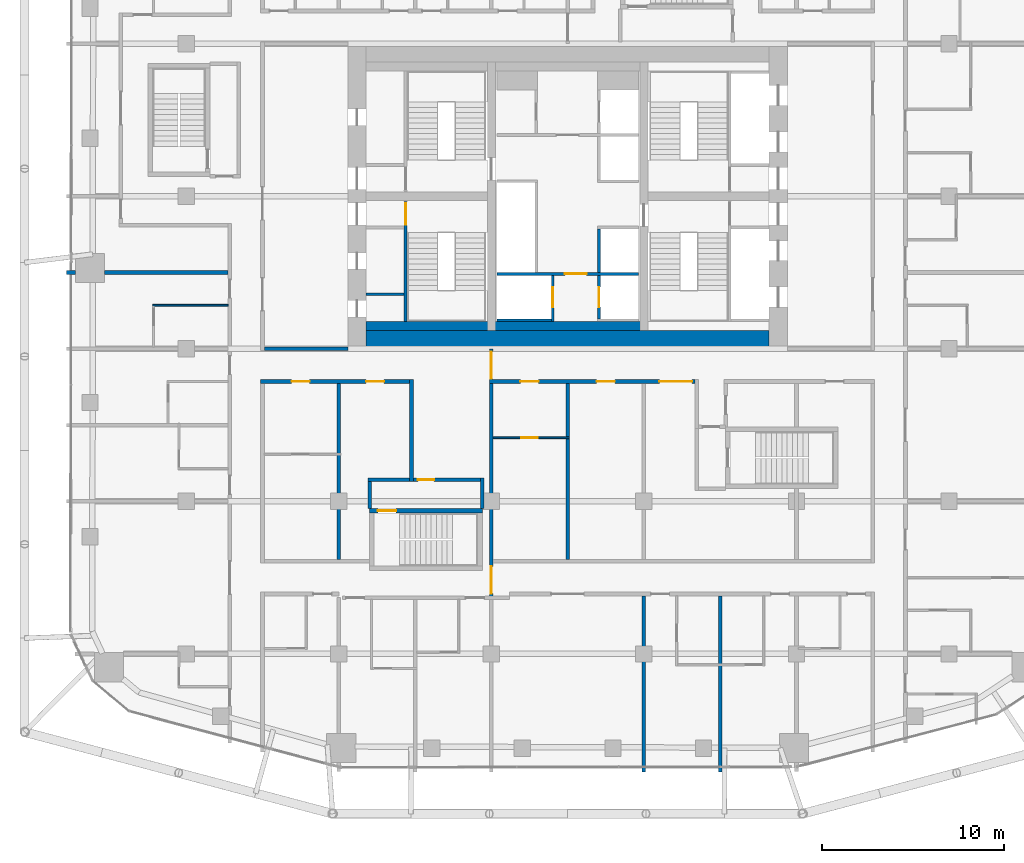
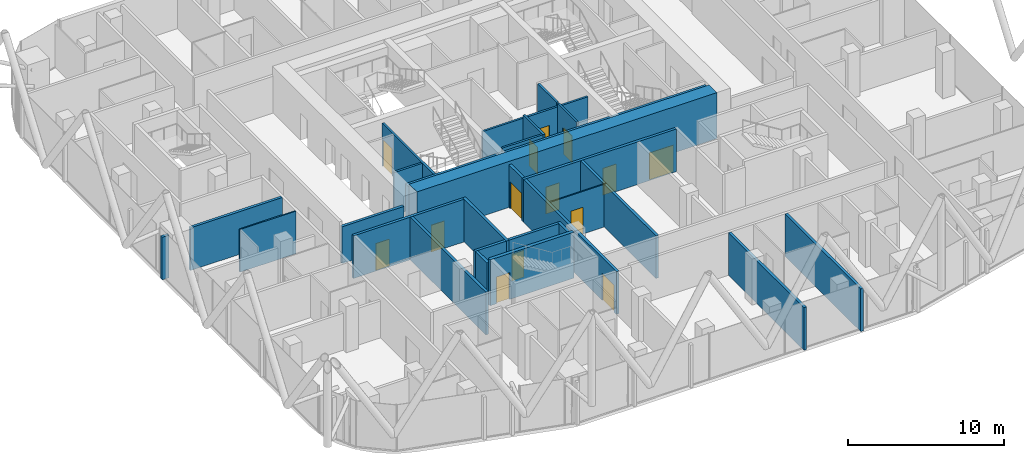
# One storey, part 28 of 36: 27 walls, 14 doors, 14 openings.
"""IFC4 building model written with IfcOpenShell, lengths in metres."""

from ifc_helpers import new_model, si_unit, direction, frame, frame_2d, origin, place, context, subcontext, project, spatial, rectangle, extrude, material, layer, layer_set, type_object, element, fill, save


model = new_model("IFC4")

# Units and contexts
model_context = context("Model", 3, precision=1e-05, world=origin(), true_north=direction((0.0, 1.0)))
body_context = subcontext(model_context, "Body", "Model", "MODEL_VIEW")
ifc_project = project(units=[si_unit("LENGTHUNIT", "METRE"), si_unit("AREAUNIT", "SQUARE_METRE"), si_unit("VOLUMEUNIT", "CUBIC_METRE"), si_unit("PLANEANGLEUNIT", "RADIAN"), si_unit("MASSUNIT", "GRAM", prefix="KILO")], contexts=[model_context])

# Site, building, storey
site_placement = place(None, origin())
site = spatial("IfcSite", under=ifc_project, at=site_placement, CompositionType="ELEMENT")
building_placement = place(site_placement, origin())
building = spatial("IfcBuilding", under=site, at=building_placement, Name="Marenta Gate Hotel Tower", CompositionType="ELEMENT")
storey_placement = place(building_placement, frame((0.0, 0.0, 115.699951171875)))
storey = spatial("IfcBuildingStorey", under=building, at=storey_placement, Name="L25", CompositionType="ELEMENT", Elevation=115.699951171875)

# Wall, openings, doors
ifc_material_1 = material(Name="Concrete blockwork", Category="masonry")
ifc_layer_1 = layer(ifc_material_1, 0.199951171875)
ifc_layer_set_1 = layer_set([ifc_layer_1], Name="Concrete blockwork")
wall_type_1 = type_object("IfcWallType", Name="Compartment wall 200 REI 180", PredefinedType="PARTITIONING", material=ifc_layer_set_1)
wall_1_placement = place(storey_placement, frame((-4.199951171875, -13.800048828125, 0.0), z_axis=(0.0, 0.0, 1.0), x_axis=(0.0, 1.0, 0.0)))
wall_1 = element("IfcWall", 1, at=wall_1_placement, inside=storey, type_object=wall_type_1, Name="L25-PTN-W072", PredefinedType="PARTITIONING", context=body_context, shape_type="SweptSolid", body=[
    extrude(rectangle(XDim=13.800048828125, YDim=0.199951171875, at=frame_2d((6.89990234375, 0.0))), origin(), (0.0, 0.0, 1.0), 3.340087890625),
])
opening_1_placement = place(wall_1_placement, frame((12.14990234375, 0.0, 0.0)))
opening_1 = element("IfcOpeningElement", 2, at=opening_1_placement, cuts=wall_1, Name="Opening G09-FD2", PredefinedType="OPENING", context=body_context, shape_type="SweptSolid", body=[
    extrude(rectangle(XDim=1.5, YDim=2.10009765625, at=frame_2d((0.75, 1.050048828125))), frame((0.0, 0.10009765625, 0.0), z_axis=(0.0, -1.0, 0.0), x_axis=(1.0, 0.0, 0.0)), (0.0, 0.0, 1.0), 0.199951171875),
])
opening_2_placement = place(wall_1_placement, frame((0.324951171875, 0.0, 0.0)))
opening_2 = element("IfcOpeningElement", 3, at=opening_2_placement, cuts=wall_1, Name="Opening G09-FD3", PredefinedType="OPENING", context=body_context, shape_type="SweptSolid", body=[
    extrude(rectangle(XDim=1.5, YDim=2.10009765625, at=frame_2d((0.75, 1.050048828125))), frame((0.0, 0.10009765625, 0.0), z_axis=(0.0, -1.0, 0.0), x_axis=(1.0, 0.0, 0.0)), (0.0, 0.0, 1.0), 0.199951171875),
])
ifc_material_2 = material(Name="Hollow steel door set", Category="steel")
door_type_1 = type_object("IfcDoorType", Name="Compartment fire door 1500x2100 EI 60", OperationType="DOUBLE_DOOR_DOUBLE_SWING", PredefinedType="DOOR", material=ifc_material_2)
door_1_placement = place(opening_1_placement, origin())
door_1 = element("IfcDoor", 4, at=door_1_placement, inside=storey, type_object=door_type_1, Name="L25-PD-FD02", OperationType="DOUBLE_DOOR_DOUBLE_SWING", OverallHeight=2.10009765625, OverallWidth=1.5, PredefinedType="DOOR", context=body_context, shape_type="SweptSolid", body=[
    extrude(rectangle(XDim=1.5, YDim=2.10009765625, at=frame_2d((0.75, 1.050048828125))), frame((0.0, 0.02490234375, 0.0), z_axis=(0.0, -1.0, 0.0), x_axis=(1.0, 0.0, 0.0)), (0.0, 0.0, 1.0), 0.050048828125),
])
fill(opening_1, door_1)
door_2_placement = place(opening_2_placement, origin())
door_2 = element("IfcDoor", 5, at=door_2_placement, inside=storey, type_object=door_type_1, Name="L25-PD-FD03", OperationType="DOUBLE_DOOR_DOUBLE_SWING", OverallHeight=2.10009765625, OverallWidth=1.5, PredefinedType="DOOR", context=body_context, shape_type="SweptSolid", body=[
    extrude(rectangle(XDim=1.5, YDim=2.10009765625, at=frame_2d((0.75, 1.050048828125))), frame((0.0, 0.02490234375, 0.0), z_axis=(0.0, -1.0, 0.0), x_axis=(1.0, 0.0, 0.0)), (0.0, 0.0, 1.0), 0.050048828125),
])
fill(opening_2, door_2)

# Walls
ifc_material_3 = material(Name="Concrete blockwork", Category="masonry")
ifc_layer_2 = layer(ifc_material_3, 0.199951171875)
ifc_layer_set_2 = layer_set([ifc_layer_2], Name="Concrete blockwork")
wall_type_2 = type_object("IfcWallType", Name="Core boundary wall 200 REI 180", PredefinedType="PARTITIONING", material=ifc_layer_set_2)
wall_2_placement = place(storey_placement, frame((-16.699951171875, 0.0, 0.0), z_axis=(0.0, 0.0, 1.0), x_axis=(1.0, 0.0, 0.0)))
element("IfcWall", 6, at=wall_2_placement, inside=storey, type_object=wall_type_2, Name="L25-CP-EW-WS", PredefinedType="PARTITIONING", context=body_context, shape_type="SweptSolid", body=[
    extrude(rectangle(XDim=4.599853515625, YDim=0.199951171875, at=frame_2d((2.2998046875, 0.0))), origin(), (0.0, 0.0, 1.0), 2.89013671875),
])
ifc_material_4 = material(Name="Concrete C40", Category="concrete")
ifc_layer_3 = layer(ifc_material_4, 0.5)
ifc_layer_set_3 = layer_set([ifc_layer_3], Name="Concrete C40")
wall_type_3 = type_object("IfcWallType", Name="Core lining wall 500 REI 180", PredefinedType="PARTITIONING", material=ifc_layer_set_3)
wall_3_placement = place(storey_placement, frame((-11.10009765625, 1.25, 0.0), z_axis=(0.0, 0.0, 1.0), x_axis=(1.0, 0.0, 0.0)))
element("IfcWall", 7, at=wall_3_placement, inside=storey, type_object=wall_type_3, Name="L25-CP-LN-S", PredefinedType="PARTITIONING", context=body_context, shape_type="SweptSolid", body=[
    extrude(rectangle(XDim=22.2001953125, YDim=0.5, at=frame_2d((11.10009765625, 0.0))), origin(), (0.0, 0.0, 1.0), 3.340087890625),
])

# Wall, opening, door
ifc_material_5 = material(Name="Concrete blockwork", Category="masonry")
ifc_layer_4 = layer(ifc_material_5, 0.14990234375)
ifc_layer_set_4 = layer_set([ifc_layer_4], Name="Concrete blockwork")
wall_type_4 = type_object("IfcWallType", Name="Core lobby partition 150 REI 180", PredefinedType="PARTITIONING", material=ifc_layer_set_4)
wall_4_placement = place(storey_placement, frame((-3.89990234375, 4.125, 0.0), z_axis=(0.0, 0.0, 1.0), x_axis=(1.0, 0.0, 0.0)))
wall_4 = element("IfcWall", 8, at=wall_4_placement, inside=storey, type_object=wall_type_4, Name="L25-CP-CW-S", PredefinedType="PARTITIONING", context=body_context, shape_type="SweptSolid", body=[
    extrude(rectangle(XDim=7.7998046875, YDim=0.14990234375, at=frame_2d((3.89990234375, 0.0))), origin(), (0.0, 0.0, 1.0), 3.340087890625),
])
opening_3_placement = place(wall_4_placement, frame((3.75, 0.0, 0.0)))
opening_3 = element("IfcOpeningElement", 9, at=opening_3_placement, cuts=wall_4, Name="Opening FD-FFS", PredefinedType="OPENING", context=body_context, shape_type="SweptSolid", body=[
    extrude(rectangle(XDim=1.199951171875, YDim=2.10009765625, at=frame_2d((0.60009765625, 1.050048828125))), frame((0.0, 0.074951171875, 0.0), z_axis=(0.0, -1.0, 0.0), x_axis=(1.0, 0.0, 0.0)), (0.0, 0.0, 1.0), 0.14990234375),
])
ifc_material_6 = material(Name="Steel", Category="steel")
door_type_2 = type_object("IfcDoorType", Name="Core lobby door 1200x2100 FD60", OperationType="SINGLE_SWING_LEFT", PredefinedType="DOOR", material=ifc_material_6)
door_3_placement = place(opening_3_placement, origin())
door_3 = element("IfcDoor", 10, at=door_3_placement, inside=storey, type_object=door_type_2, Name="FD-FFS", OperationType="SINGLE_SWING_LEFT", OverallHeight=2.10009765625, OverallWidth=1.199951171875, PredefinedType="DOOR", context=body_context, shape_type="SweptSolid", body=[
    extrude(rectangle(XDim=1.199951171875, YDim=2.10009765625, at=frame_2d((0.60009765625, 1.050048828125))), frame((0.0, 0.02490234375, 0.0), z_axis=(0.0, -1.0, 0.0), x_axis=(1.0, 0.0, 0.0)), (0.0, 0.0, 1.0), 0.050048828125),
])
fill(opening_3, door_3)

# Wall
ifc_material_7 = material(Name="Concrete blockwork", Category="masonry")
ifc_layer_5 = layer(ifc_material_7, 0.14990234375)
ifc_layer_set_5 = layer_set([ifc_layer_5], Name="Concrete blockwork")
wall_type_5 = type_object("IfcWallType", Name="Core room partition 150 REI 180", PredefinedType="PARTITIONING", material=ifc_layer_set_5)
wall_5_placement = place(storey_placement, frame((-11.10009765625, 3.0, 0.0), z_axis=(0.0, 0.0, 1.0), x_axis=(1.0, 0.0, 0.0)))
element("IfcWall", 11, at=wall_5_placement, inside=storey, type_object=wall_type_5, Name="L25-CP-RW-WS-1", PredefinedType="PARTITIONING", context=body_context, shape_type="SweptSolid", body=[
    extrude(rectangle(XDim=2.10009765625, YDim=0.14990234375, at=frame_2d((1.050048828125, 0.0))), origin(), (0.0, 0.0, 1.0), 3.340087890625),
])

# Wall, opening, door
ifc_material_8 = material(Name="Concrete C40", Category="concrete")
ifc_layer_6 = layer(ifc_material_8, 0.14990234375)
ifc_layer_set_6 = layer_set([ifc_layer_6], Name="Concrete C40")
wall_type_6 = type_object("IfcWallType", Name="Core shaft wall 150 REI 180", PredefinedType="SHEAR", material=ifc_layer_set_6)
wall_6_placement = place(storey_placement, frame((-0.824951171875, 1.5, 0.0), z_axis=(0.0, 0.0, 1.0), x_axis=(0.0, 1.0, 0.0)))
wall_6 = element("IfcWall", 12, at=wall_6_placement, inside=storey, type_object=wall_type_6, Name="L25-SHF-CW-W-ff", PredefinedType="SHEAR", context=body_context, shape_type="SweptSolid", body=[
    extrude(rectangle(XDim=2.550048828125, YDim=0.14990234375, at=frame_2d((1.27490234375, 0.0))), origin(), (0.0, 0.0, 1.0), 3.60009765625),
])
opening_4_placement = place(wall_6_placement, frame((0.800048828125, 0.0, 0.0)))
opening_4 = element("IfcOpeningElement", 13, at=opening_4_placement, cuts=wall_6, Name="Opening LD-FF1", PredefinedType="OPENING", context=body_context, shape_type="SweptSolid", body=[
    extrude(rectangle(XDim=1.10009765625, YDim=2.10009765625, at=frame_2d((0.550048828125, 1.050048828125))), frame((0.0, 0.074951171875, 0.0), z_axis=(0.0, -1.0, 0.0), x_axis=(1.0, 0.0, 0.0)), (0.0, 0.0, 1.0), 0.14990234375),
])
ifc_material_9 = material(Name="Steel", Category="steel")
door_type_3 = type_object("IfcDoorType", Name="Core lift landing door 1100x2100 E 60", OperationType="SLIDING_TO_LEFT", PredefinedType="DOOR", material=ifc_material_9)
door_4_placement = place(opening_4_placement, origin())
door_4 = element("IfcDoor", 14, at=door_4_placement, inside=storey, type_object=door_type_3, Name="LD-FF1", OperationType="SLIDING_TO_LEFT", OverallHeight=2.10009765625, OverallWidth=1.10009765625, PredefinedType="DOOR", context=body_context, shape_type="SweptSolid", body=[
    extrude(rectangle(XDim=1.10009765625, YDim=2.10009765625, at=frame_2d((0.550048828125, 1.050048828125))), frame((0.0, 0.02490234375, 0.0), z_axis=(0.0, -1.0, 0.0), x_axis=(1.0, 0.0, 0.0)), (0.0, 0.0, 1.0), 0.050048828125),
])
fill(opening_4, door_4)

# Wall
wall_7_placement = place(storey_placement, frame((-3.89990234375, 1.574951171875, 0.0), z_axis=(0.0, 0.0, 1.0), x_axis=(1.0, 0.0, 0.0)))
element("IfcWall", 15, at=wall_7_placement, inside=storey, type_object=wall_type_6, Name="L25-SHF-CW-W-ffs", PredefinedType="SHEAR", context=body_context, shape_type="SweptSolid", body=[
    extrude(rectangle(XDim=3.0, YDim=0.14990234375, at=frame_2d((1.5, 0.0))), origin(), (0.0, 0.0, 1.0), 3.60009765625),
])

# Wall, opening, door
wall_8_placement = place(storey_placement, frame((1.72509765625, 1.64990234375, 0.0), z_axis=(0.0, 0.0, 1.0), x_axis=(0.0, 1.0, 0.0)))
wall_8 = element("IfcWall", 16, at=wall_8_placement, inside=storey, type_object=wall_type_6, Name="L25-SHF-CE-S-ls", PredefinedType="SHEAR", context=body_context, shape_type="SweptSolid", body=[
    extrude(rectangle(XDim=2.400146484375, YDim=0.14990234375, at=frame_2d((1.2001953125, 0.0))), origin(), (0.0, 0.0, 1.0), 3.60009765625),
])
opening_5_placement = place(wall_8_placement, frame((0.64990234375, 0.0, 0.0)))
opening_5 = element("IfcOpeningElement", 17, at=opening_5_placement, cuts=wall_8, Name="Opening LD-SV1", PredefinedType="OPENING", context=body_context, shape_type="SweptSolid", body=[
    extrude(rectangle(XDim=1.10009765625, YDim=2.10009765625, at=frame_2d((0.550048828125, 1.050048828125))), frame((0.0, 0.074951171875, 0.0), z_axis=(0.0, -1.0, 0.0), x_axis=(1.0, 0.0, 0.0)), (0.0, 0.0, 1.0), 0.14990234375),
])
door_5_placement = place(opening_5_placement, origin())
door_5 = element("IfcDoor", 18, at=door_5_placement, inside=storey, type_object=door_type_3, Name="LD-SV1", OperationType="SLIDING_TO_LEFT", OverallHeight=2.10009765625, OverallWidth=1.10009765625, PredefinedType="DOOR", context=body_context, shape_type="SweptSolid", body=[
    extrude(rectangle(XDim=1.10009765625, YDim=2.10009765625, at=frame_2d((0.550048828125, 1.050048828125))), frame((0.0, 0.02490234375, 0.0), z_axis=(0.0, -1.0, 0.0), x_axis=(1.0, 0.0, 0.0)), (0.0, 0.0, 1.0), 0.050048828125),
])
fill(opening_5, door_5)

# Wall
wall_9_placement = place(storey_placement, frame((1.72509765625, 4.199951171875, 0.0), z_axis=(0.0, 0.0, 1.0), x_axis=(0.0, 1.0, 0.0)))
element("IfcWall", 19, at=wall_9_placement, inside=storey, type_object=wall_type_6, Name="L25-SHF-CE-front-1", PredefinedType="SHEAR", context=body_context, shape_type="SweptSolid", body=[
    extrude(rectangle(XDim=2.400146484375, YDim=0.14990234375, at=frame_2d((1.2001953125, 0.0))), origin(), (0.0, 0.0, 1.0), 3.60009765625),
])

# Wall, opening, door
ifc_material_10 = material(Name="Concrete C40", Category="concrete")
ifc_layer_7 = layer(ifc_material_10, 0.14990234375)
ifc_layer_set_7 = layer_set([ifc_layer_7], Name="Concrete C40")
wall_type_7 = type_object("IfcWallType", Name="Core stair enclosure wall 150 REI 180", PredefinedType="SHEAR", material=ifc_layer_set_7)
wall_10_placement = place(storey_placement, frame((-8.925048828125, 1.5, 0.0), z_axis=(0.0, 0.0, 1.0), x_axis=(0.0, 1.0, 0.0)))
wall_10 = element("IfcWall", 20, at=wall_10_placement, inside=storey, type_object=wall_type_7, Name="L25-SHF-SW-WS-3", PredefinedType="SHEAR", context=body_context, shape_type="SweptSolid", body=[
    extrude(rectangle(XDim=6.60009765625, YDim=0.14990234375, at=frame_2d((3.300048828125, 0.0))), origin(), (0.0, 0.0, 1.0), 3.340087890625),
])
opening_6_placement = place(wall_10_placement, frame((5.324951171875, 0.0, 0.0)))
opening_6 = element("IfcOpeningElement", 21, at=opening_6_placement, cuts=wall_10, Name="Opening SD-WS", PredefinedType="OPENING", context=body_context, shape_type="SweptSolid", body=[
    extrude(rectangle(XDim=1.199951171875, YDim=2.10009765625, at=frame_2d((0.60009765625, 1.050048828125))), frame((0.0, 0.074951171875, 0.0), z_axis=(0.0, -1.0, 0.0), x_axis=(1.0, 0.0, 0.0)), (0.0, 0.0, 1.0), 0.14990234375),
])
ifc_material_11 = material(Name="Steel", Category="steel")
door_type_4 = type_object("IfcDoorType", Name="Core stair door 1200x2100 FD60", OperationType="SINGLE_SWING_LEFT", PredefinedType="DOOR", material=ifc_material_11)
door_6_placement = place(opening_6_placement, origin())
door_6 = element("IfcDoor", 22, at=door_6_placement, inside=storey, type_object=door_type_4, Name="SD-WS", OperationType="SINGLE_SWING_LEFT", OverallHeight=2.10009765625, OverallWidth=1.199951171875, PredefinedType="DOOR", context=body_context, shape_type="SweptSolid", body=[
    extrude(rectangle(XDim=1.199951171875, YDim=2.10009765625, at=frame_2d((0.60009765625, 1.050048828125))), frame((0.0, 0.02490234375, 0.0), z_axis=(0.0, -1.0, 0.0), x_axis=(1.0, 0.0, 0.0)), (0.0, 0.0, 1.0), 0.050048828125),
])
fill(opening_6, door_6)

# Wall
ifc_material_12 = material(Name="Concrete C70", Category="concrete")
ifc_layer_8 = layer(ifc_material_12, 1.0)
ifc_layer_set_8 = layer_set([ifc_layer_8], Name="Concrete C70")
wall_type_8 = type_object("IfcWallType", Name="Core wall 1000 C70", PredefinedType="SHEAR", material=ifc_layer_set_8)
wall_11_placement = place(storey_placement, frame((-11.10009765625, 0.5, 0.0), z_axis=(0.0, 0.0, 1.0), x_axis=(1.0, 0.0, 0.0)))
element("IfcWall", 23, at=wall_11_placement, inside=storey, type_object=wall_type_8, Name="L25-CORE-S", PredefinedType="SHEAR", context=body_context, shape_type="SweptSolid", body=[
    extrude(rectangle(XDim=22.2001953125, YDim=1.0, at=frame_2d((11.10009765625, 0.0))), origin(), (0.0, 0.0, 1.0), 3.60009765625),
])

# Wall, opening, door
ifc_material_13 = material(Name="Concrete C40", Category="concrete")
ifc_layer_9 = layer(ifc_material_13, 0.25)
ifc_layer_set_9 = layer_set([ifc_layer_9], Name="Concrete C40")
wall_type_9 = type_object("IfcWallType", Name="Remote stair enclosure wall 250 REI 180", PredefinedType="SHEAR", material=ifc_layer_set_9)
wall_12_placement = place(storey_placement, frame((-10.89990234375, -8.925048828125, 0.10009765625), z_axis=(0.0, 0.0, 1.0), x_axis=(1.0, 0.0, 0.0)))
wall_12 = element("IfcWall", 24, at=wall_12_placement, inside=storey, type_object=wall_type_9, Name="L25-RS-Z2-1-W2", PredefinedType="SHEAR", context=body_context, shape_type="SweptSolid", body=[
    extrude(rectangle(XDim=6.199951171875, YDim=0.25, at=frame_2d((3.10009765625, 0.0))), origin(), (0.0, 0.0, 1.0), 3.599853515625),
])
opening_7_placement = place(wall_12_placement, frame((0.449951171875, 0.0, 0.0)))
opening_7 = element("IfcOpeningElement", 25, at=opening_7_placement, cuts=wall_12, Name="Opening VD", PredefinedType="OPENING", context=body_context, shape_type="SweptSolid", body=[
    extrude(rectangle(XDim=1.0, YDim=2.10009765625, at=frame_2d((0.5, 1.050048828125))), frame((0.0, 0.125, 0.0), z_axis=(0.0, -1.0, 0.0), x_axis=(1.0, 0.0, 0.0)), (0.0, 0.0, 1.0), 0.25),
])
ifc_material_14 = material(Name="Steel", Category="steel")
door_type_5 = type_object("IfcDoorType", Name="Stair vestibule door 1000x2100 FD60", OperationType="SINGLE_SWING_LEFT", PredefinedType="DOOR", material=ifc_material_14)
door_7_placement = place(opening_7_placement, origin())
door_7 = element("IfcDoor", 26, at=door_7_placement, inside=storey, type_object=door_type_5, Name="VD", OperationType="SINGLE_SWING_LEFT", OverallHeight=2.10009765625, OverallWidth=1.0, PredefinedType="DOOR", context=body_context, shape_type="SweptSolid", body=[
    extrude(rectangle(XDim=1.0, YDim=2.10009765625, at=frame_2d((0.5, 1.050048828125))), frame((0.0, 0.02490234375, 0.0), z_axis=(0.0, -1.0, 0.0), x_axis=(1.0, 0.0, 0.0)), (0.0, 0.0, 1.0), 0.050048828125),
])
fill(opening_7, door_7)

# Wall, openings, doors
ifc_material_15 = material(Name="Concrete blockwork", Category="masonry")
ifc_layer_10 = layer(ifc_material_15, 0.199951171875)
ifc_layer_set_10 = layer_set([ifc_layer_10], Name="Concrete blockwork")
wall_type_10 = type_object("IfcWallType", Name="Room corridor wall 200 EI 120", PredefinedType="PARTITIONING", material=ifc_layer_set_10)
wall_13_placement = place(storey_placement, frame((-4.300048828125, -1.800048828125, 0.0), z_axis=(0.0, 0.0, 1.0), x_axis=(1.0, 0.0, 0.0)))
wall_13 = element("IfcWall", 27, at=wall_13_placement, inside=storey, type_object=wall_type_10, Name="L25-PTN-W060", PredefinedType="PARTITIONING", context=body_context, shape_type="SweptSolid", body=[
    extrude(rectangle(XDim=11.300048828125, YDim=0.199951171875, at=frame_2d((5.64990234375, 0.0))), origin(), (0.0, 0.0, 1.0), 3.340087890625),
])
opening_8_placement = place(wall_13_placement, frame((1.699951171875, 0.0, 0.0)))
opening_8 = element("IfcOpeningElement", 28, at=opening_8_placement, cuts=wall_13, Name="Opening G09-04", PredefinedType="OPENING", context=body_context, shape_type="SweptSolid", body=[
    extrude(rectangle(XDim=1.0, YDim=2.10009765625, at=frame_2d((0.5, 1.050048828125))), frame((0.0, 0.10009765625, 0.0), z_axis=(0.0, -1.0, 0.0), x_axis=(1.0, 0.0, 0.0)), (0.0, 0.0, 1.0), 0.199951171875),
])
opening_9_placement = place(wall_13_placement, frame((5.89990234375, 0.0, 0.0)))
opening_9 = element("IfcOpeningElement", 29, at=opening_9_placement, cuts=wall_13, Name="Opening G09-06", PredefinedType="OPENING", context=body_context, shape_type="SweptSolid", body=[
    extrude(rectangle(XDim=1.0, YDim=2.10009765625, at=frame_2d((0.5, 1.050048828125))), frame((0.0, 0.10009765625, 0.0), z_axis=(0.0, -1.0, 0.0), x_axis=(1.0, 0.0, 0.0)), (0.0, 0.0, 1.0), 0.199951171875),
])
opening_10_placement = place(wall_13_placement, frame((9.35009765625, 0.0, 0.0)))
opening_10 = element("IfcOpeningElement", 30, at=opening_10_placement, cuts=wall_13, Name="Opening G09-07", PredefinedType="OPENING", context=body_context, shape_type="SweptSolid", body=[
    extrude(rectangle(XDim=1.800048828125, YDim=2.10009765625, at=frame_2d((0.89990234375, 1.050048828125))), frame((0.0, 0.10009765625, 0.0), z_axis=(0.0, -1.0, 0.0), x_axis=(1.0, 0.0, 0.0)), (0.0, 0.0, 1.0), 0.199951171875),
])
ifc_material_16 = material(Name="Timber door leaf", Category="wood")
door_type_6 = type_object("IfcDoorType", Name="Room amenity door 1000x2100 EI 60", OperationType="NOTDEFINED", PredefinedType="DOOR", material=ifc_material_16)
door_8_placement = place(opening_9_placement, origin())
door_8 = element("IfcDoor", 31, at=door_8_placement, inside=storey, type_object=door_type_6, Name="L25-PD-D006", OperationType="SINGLE_SWING_RIGHT", OverallHeight=2.10009765625, OverallWidth=1.0, PredefinedType="DOOR", context=body_context, shape_type="SweptSolid", body=[
    extrude(rectangle(XDim=1.0, YDim=2.10009765625, at=frame_2d((0.5, 1.050048828125))), frame((0.0, 0.02490234375, 0.0), z_axis=(0.0, -1.0, 0.0), x_axis=(1.0, 0.0, 0.0)), (0.0, 0.0, 1.0), 0.050048828125),
])
fill(opening_9, door_8)
ifc_material_17 = material(Name="Timber door leaf", Category="wood")
door_type_7 = type_object("IfcDoorType", Name="Room amenity door 1800x2100 EI 60", OperationType="DOUBLE_DOOR_SINGLE_SWING", PredefinedType="DOOR", material=ifc_material_17)
door_9_placement = place(opening_10_placement, origin())
door_9 = element("IfcDoor", 32, at=door_9_placement, inside=storey, type_object=door_type_7, Name="L25-PD-D007", OperationType="DOUBLE_DOOR_SINGLE_SWING", OverallHeight=2.10009765625, OverallWidth=1.800048828125, PredefinedType="DOOR", context=body_context, shape_type="SweptSolid", body=[
    extrude(rectangle(XDim=1.800048828125, YDim=2.10009765625, at=frame_2d((0.89990234375, 1.050048828125))), frame((0.0, 0.02490234375, 0.0), z_axis=(0.0, -1.0, 0.0), x_axis=(1.0, 0.0, 0.0)), (0.0, 0.0, 1.0), 0.050048828125),
])
fill(opening_10, door_9)
ifc_material_18 = material(Name="Hollow steel door set", Category="steel")
door_type_8 = type_object("IfcDoorType", Name="Room service door 1000x2100 EI 60", OperationType="NOTDEFINED", PredefinedType="DOOR", material=ifc_material_18)
door_10_placement = place(opening_8_placement, origin())
door_10 = element("IfcDoor", 33, at=door_10_placement, inside=storey, type_object=door_type_8, Name="L25-PD-D004", OperationType="SINGLE_SWING_RIGHT", OverallHeight=2.10009765625, OverallWidth=1.0, PredefinedType="DOOR", context=body_context, shape_type="SweptSolid", body=[
    extrude(rectangle(XDim=1.0, YDim=2.10009765625, at=frame_2d((0.5, 1.050048828125))), frame((0.0, 0.02490234375, 0.0), z_axis=(0.0, -1.0, 0.0), x_axis=(1.0, 0.0, 0.0)), (0.0, 0.0, 1.0), 0.050048828125),
])
fill(opening_8, door_10)

ifc_material_19 = material(Name="Gypsum board on steel stud", Category="steel")
ifc_layer_11 = layer(ifc_material_19, 0.199951171875)
ifc_layer_set_11 = layer_set([ifc_layer_11], Name="Gypsum board on steel stud")
wall_type_11 = type_object("IfcWallType", Name="Room corridor wall 200 EI 60", PredefinedType="PARTITIONING", material=ifc_layer_set_11)
wall_14_placement = place(storey_placement, frame((-16.89990234375, -1.800048828125, 0.0), z_axis=(0.0, 0.0, 1.0), x_axis=(1.0, 0.0, 0.0)))
wall_14 = element("IfcWall", 34, at=wall_14_placement, inside=storey, type_object=wall_type_11, Name="L25-PTN-W059", PredefinedType="PARTITIONING", context=body_context, shape_type="SweptSolid", body=[
    extrude(rectangle(XDim=8.199951171875, YDim=0.199951171875, at=frame_2d((4.10009765625, 0.0))), origin(), (0.0, 0.0, 1.0), 3.340087890625),
])
opening_11_placement = place(wall_14_placement, frame((1.699951171875, 0.0, 0.0)))
opening_11 = element("IfcOpeningElement", 35, at=opening_11_placement, cuts=wall_14, Name="Opening G09-01", PredefinedType="OPENING", context=body_context, shape_type="SweptSolid", body=[
    extrude(rectangle(XDim=1.0, YDim=2.10009765625, at=frame_2d((0.5, 1.050048828125))), frame((0.0, 0.10009765625, 0.0), z_axis=(0.0, -1.0, 0.0), x_axis=(1.0, 0.0, 0.0)), (0.0, 0.0, 1.0), 0.199951171875),
])
opening_12_placement = place(wall_14_placement, frame((5.800048828125, 0.0, 0.0)))
opening_12 = element("IfcOpeningElement", 36, at=opening_12_placement, cuts=wall_14, Name="Opening G09-03", PredefinedType="OPENING", context=body_context, shape_type="SweptSolid", body=[
    extrude(rectangle(XDim=1.0, YDim=2.10009765625, at=frame_2d((0.5, 1.050048828125))), frame((0.0, 0.10009765625, 0.0), z_axis=(0.0, -1.0, 0.0), x_axis=(1.0, 0.0, 0.0)), (0.0, 0.0, 1.0), 0.199951171875),
])
ifc_material_20 = material(Name="Timber door leaf", Category="wood")
door_type_9 = type_object("IfcDoorType", Name="Room amenity door 1000x2100 EI 30", OperationType="NOTDEFINED", PredefinedType="DOOR", material=ifc_material_20)
door_11_placement = place(opening_12_placement, origin())
door_11 = element("IfcDoor", 37, at=door_11_placement, inside=storey, type_object=door_type_9, Name="L25-PD-D003", OperationType="SINGLE_SWING_LEFT", OverallHeight=2.10009765625, OverallWidth=1.0, PredefinedType="DOOR", context=body_context, shape_type="SweptSolid", body=[
    extrude(rectangle(XDim=1.0, YDim=2.10009765625, at=frame_2d((0.5, 1.050048828125))), frame((0.0, 0.02490234375, 0.0), z_axis=(0.0, -1.0, 0.0), x_axis=(1.0, 0.0, 0.0)), (0.0, 0.0, 1.0), 0.050048828125),
])
fill(opening_12, door_11)
ifc_material_21 = material(Name="Hollow steel door set", Category="steel")
door_type_10 = type_object("IfcDoorType", Name="Room service door 1000x2100 EI 30", OperationType="NOTDEFINED", PredefinedType="DOOR", material=ifc_material_21)
door_12_placement = place(opening_11_placement, origin())
door_12 = element("IfcDoor", 38, at=door_12_placement, inside=storey, type_object=door_type_10, Name="L25-PD-D001", OperationType="SINGLE_SWING_LEFT", OverallHeight=2.10009765625, OverallWidth=1.0, PredefinedType="DOOR", context=body_context, shape_type="SweptSolid", body=[
    extrude(rectangle(XDim=1.0, YDim=2.10009765625, at=frame_2d((0.5, 1.050048828125))), frame((0.0, 0.02490234375, 0.0), z_axis=(0.0, -1.0, 0.0), x_axis=(1.0, 0.0, 0.0)), (0.0, 0.0, 1.0), 0.050048828125),
])
fill(opening_11, door_12)

# Wall
wall_15_placement = place(storey_placement, frame((-8.60009765625, -7.300048828125, 0.0), z_axis=(0.0, 0.0, 1.0), x_axis=(0.0, 1.0, 0.0)))
element("IfcWall", 39, at=wall_15_placement, inside=storey, type_object=wall_type_11, Name="L25-PTN-W084", PredefinedType="PARTITIONING", context=body_context, shape_type="SweptSolid", body=[
    extrude(rectangle(XDim=5.60009765625, YDim=0.199951171875, at=frame_2d((2.800048828125, 0.0))), origin(), (0.0, 0.0, 1.0), 3.340087890625),
])

# Wall, opening, door
ifc_material_22 = material(Name="Concrete blockwork", Category="masonry")
ifc_layer_12 = layer(ifc_material_22, 0.199951171875)
ifc_layer_set_12 = layer_set([ifc_layer_12], Name="Concrete blockwork")
wall_type_12 = type_object("IfcWallType", Name="Room corridor wall 200 REI 180", PredefinedType="PARTITIONING", material=ifc_layer_set_12)
wall_16_placement = place(storey_placement, frame((-8.5, -7.199951171875, 0.0), z_axis=(0.0, 0.0, 1.0), x_axis=(1.0, 0.0, 0.0)))
wall_16 = element("IfcWall", 40, at=wall_16_placement, inside=storey, type_object=wall_type_12, Name="L25-PTN-W045", PredefinedType="PARTITIONING", context=body_context, shape_type="SweptSolid", body=[
    extrude(rectangle(XDim=3.699951171875, YDim=0.199951171875, at=frame_2d((1.85009765625, 0.0))), origin(), (0.0, 0.0, 1.0), 3.340087890625),
])
opening_13_placement = place(wall_16_placement, frame((0.25, 0.0, 0.0)))
opening_13 = element("IfcOpeningElement", 41, at=opening_13_placement, cuts=wall_16, Name="Opening G09-69", PredefinedType="OPENING", context=body_context, shape_type="SweptSolid", body=[
    extrude(rectangle(XDim=0.89990234375, YDim=2.10009765625, at=frame_2d((0.449951171875, 1.050048828125))), frame((0.0, 0.10009765625, 0.0), z_axis=(0.0, -1.0, 0.0), x_axis=(1.0, 0.0, 0.0)), (0.0, 0.0, 1.0), 0.199951171875),
])
ifc_material_23 = material(Name="Hollow steel door set", Category="steel")
door_type_11 = type_object("IfcDoorType", Name="Stair vestibule door 900x2100 EI 60", OperationType="NOTDEFINED", PredefinedType="DOOR", material=ifc_material_23)
door_13_placement = place(opening_13_placement, origin())
door_13 = element("IfcDoor", 42, at=door_13_placement, inside=storey, type_object=door_type_11, Name="L25-PD-D069", OperationType="SINGLE_SWING_RIGHT", OverallHeight=2.10009765625, OverallWidth=0.89990234375, PredefinedType="DOOR", context=body_context, shape_type="SweptSolid", body=[
    extrude(rectangle(XDim=0.89990234375, YDim=2.10009765625, at=frame_2d((0.449951171875, 1.050048828125))), frame((0.0, 0.02490234375, 0.0), z_axis=(0.0, -1.0, 0.0), x_axis=(1.0, 0.0, 0.0)), (0.0, 0.0, 1.0), 0.050048828125),
])
fill(opening_13, door_13)

# Wall
wall_17_placement = place(storey_placement, frame((-4.699951171875, -8.800048828125, 0.0), z_axis=(0.0, 0.0, 1.0), x_axis=(0.0, 1.0, 0.0)))
element("IfcWall", 43, at=wall_17_placement, inside=storey, type_object=wall_type_12, Name="L25-PTN-W075", PredefinedType="PARTITIONING", context=body_context, shape_type="SweptSolid", body=[
    extrude(rectangle(XDim=1.699951171875, YDim=0.199951171875, at=frame_2d((0.85009765625, 0.0))), origin(), (0.0, 0.0, 1.0), 3.340087890625),
])

# Wall, opening, door
ifc_material_24 = material(Name="Gypsum board on steel stud", Category="steel")
ifc_layer_13 = layer(ifc_material_24, 0.10009765625)
ifc_layer_set_13 = layer_set([ifc_layer_13], Name="Gypsum board on steel stud")
wall_type_13 = type_object("IfcWallType", Name="Room partition 100", PredefinedType="PARTITIONING", material=ifc_layer_set_13)
wall_18_placement = place(storey_placement, frame((-4.10009765625, -4.89990234375, 0.0), z_axis=(0.0, 0.0, 1.0), x_axis=(1.0, 0.0, 0.0)))
wall_18 = element("IfcWall", 44, at=wall_18_placement, inside=storey, type_object=wall_type_13, Name="L25-PTN-W051", PredefinedType="PARTITIONING", context=body_context, shape_type="SweptSolid", body=[
    extrude(rectangle(XDim=4.2001953125, YDim=0.10009765625, at=frame_2d((2.10009765625, 0.0))), origin(), (0.0, 0.0, 1.0), 3.340087890625),
])
opening_14_placement = place(wall_18_placement, frame((1.550048828125, 0.0, 0.0)))
opening_14 = element("IfcOpeningElement", 45, at=opening_14_placement, cuts=wall_18, Name="Opening G09-05", PredefinedType="OPENING", context=body_context, shape_type="SweptSolid", body=[
    extrude(rectangle(XDim=0.89990234375, YDim=2.10009765625, at=frame_2d((0.449951171875, 1.050048828125))), frame((0.0, 0.050048828125, 0.0), z_axis=(0.0, -1.0, 0.0), x_axis=(1.0, 0.0, 0.0)), (0.0, 0.0, 1.0), 0.10009765625),
])
ifc_material_25 = material(Name="Timber door leaf", Category="wood")
door_type_12 = type_object("IfcDoorType", Name="Room inner door 900x2100", OperationType="NOTDEFINED", PredefinedType="DOOR", material=ifc_material_25)
door_14_placement = place(opening_14_placement, origin())
door_14 = element("IfcDoor", 46, at=door_14_placement, inside=storey, type_object=door_type_12, Name="L25-PD-D005", OperationType="SINGLE_SWING_LEFT", OverallHeight=2.10009765625, OverallWidth=0.89990234375, PredefinedType="DOOR", context=body_context, shape_type="SweptSolid", body=[
    extrude(rectangle(XDim=0.89990234375, YDim=2.10009765625, at=frame_2d((0.449951171875, 1.050048828125))), frame((0.0, 0.02490234375, 0.0), z_axis=(0.0, -1.0, 0.0), x_axis=(1.0, 0.0, 0.0)), (0.0, 0.0, 1.0), 0.050048828125),
])
fill(opening_14, door_14)

# Walls
wall_19_placement = place(storey_placement, frame((-22.85009765625, 2.39990234375, 0.0), z_axis=(0.0, 0.0, 1.0), x_axis=(1.0, 0.0, 0.0)))
element("IfcWall", 47, at=wall_19_placement, inside=storey, type_object=wall_type_13, Name="L25-PTN-W068", PredefinedType="PARTITIONING", context=body_context, shape_type="SweptSolid", body=[
    extrude(rectangle(XDim=4.150146484375, YDim=0.10009765625, at=frame_2d((2.0751953125, 0.0))), origin(), (0.0, 0.0, 1.0), 3.340087890625),
])
ifc_material_26 = material(Name="Concrete blockwork", Category="masonry")
ifc_layer_14 = layer(ifc_material_26, 0.199951171875)
ifc_layer_set_14 = layer_set([ifc_layer_14], Name="Concrete blockwork")
wall_type_14 = type_object("IfcWallType", Name="Room party wall 200 EI 120", PredefinedType="PARTITIONING", material=ifc_layer_set_14)
wall_20_placement = place(storey_placement, frame((0.0, -11.60009765625, 0.0), z_axis=(0.0, 0.0, 1.0), x_axis=(0.0, 1.0, 0.0)))
element("IfcWall", 48, at=wall_20_placement, inside=storey, type_object=wall_type_14, Name="L25-PTN-W063", PredefinedType="PARTITIONING", context=body_context, shape_type="SweptSolid", body=[
    extrude(rectangle(XDim=9.7001953125, YDim=0.199951171875, at=frame_2d((4.85009765625, 0.0))), origin(), (0.0, 0.0, 1.0), 3.340087890625),
])
ifc_material_27 = material(Name="Gypsum board on steel stud", Category="steel")
ifc_layer_15 = layer(ifc_material_27, 0.199951171875)
ifc_layer_set_15 = layer_set([ifc_layer_15], Name="Gypsum board on steel stud")
wall_type_15 = type_object("IfcWallType", Name="Room party wall 200 EI 60", PredefinedType="PARTITIONING", material=ifc_layer_set_15)
for number, where, z_axis, x_axis, name in (
    (49, (8.39990234375, -23.300048828125, 0.0), (0.0, 0.0, 1.0), (0.0, 1.0, 0.0), "L25-PTN-W039"),
    (50, (4.199951171875, -23.300048828125, 0.0), (0.0, 0.0, 1.0), (0.0, 1.0, 0.0), "L25-PTN-W053"),
):
    element("IfcWall", number, at=place(storey_placement, frame(where, z_axis=z_axis, x_axis=x_axis)), inside=storey, type_object=wall_type_15, Name=name, PredefinedType="PARTITIONING", context=body_context, shape_type="SweptSolid", body=[
        extrude(rectangle(XDim=9.699951171875, YDim=0.199951171875, at=frame_2d((4.85009765625, 0.0))), origin(), (0.0, 0.0, 1.0), 3.340087890625),
    ])
wall_21_placement = place(storey_placement, frame((-27.60009765625, 4.199951171875, 0.0), z_axis=(0.0, 0.0, 1.0), x_axis=(1.0, 0.0, 0.0)))
element("IfcWall", 51, at=wall_21_placement, inside=storey, type_object=wall_type_15, Name="L25-PTN-W073", PredefinedType="PARTITIONING", context=body_context, shape_type="SweptSolid", body=[
    extrude(rectangle(XDim=0.5, YDim=0.199951171875, at=frame_2d((0.25, 0.0))), origin(), (0.0, 0.0, 1.0), 3.340087890625),
])
wall_22_placement = place(storey_placement, frame((-25.5, 4.199951171875, 0.0), z_axis=(0.0, 0.0, 1.0), x_axis=(1.0, 0.0, 0.0)))
element("IfcWall", 52, at=wall_22_placement, inside=storey, type_object=wall_type_15, Name="L25-PTN-W133", PredefinedType="PARTITIONING", context=body_context, shape_type="SweptSolid", body=[
    extrude(rectangle(XDim=6.800048828125, YDim=0.199951171875, at=frame_2d((3.39990234375, 0.0))), origin(), (0.0, 0.0, 1.0), 3.340087890625),
])
wall_23_placement = place(storey_placement, frame((-12.60009765625, -11.60009765625, 0.0), z_axis=(0.0, 0.0, 1.0), x_axis=(0.0, 1.0, 0.0)))
element("IfcWall", 53, at=wall_23_placement, inside=storey, type_object=wall_type_15, Name="L25-PTN-W091", PredefinedType="PARTITIONING", context=body_context, shape_type="SweptSolid", body=[
    extrude(rectangle(XDim=9.7001953125, YDim=0.199951171875, at=frame_2d((4.85009765625, 0.0))), origin(), (0.0, 0.0, 1.0), 3.340087890625),
])
ifc_material_28 = material(Name="Concrete blockwork", Category="masonry")
ifc_layer_16 = layer(ifc_material_28, 0.199951171875)
ifc_layer_set_16 = layer_set([ifc_layer_16], Name="Concrete blockwork")
wall_type_16 = type_object("IfcWallType", Name="Room party wall 200 REI 180", PredefinedType="PARTITIONING", material=ifc_layer_set_16)
wall_24_placement = place(storey_placement, frame((-11.0, -7.199951171875, 0.0), z_axis=(0.0, 0.0, 1.0), x_axis=(1.0, 0.0, 0.0)))
element("IfcWall", 54, at=wall_24_placement, inside=storey, type_object=wall_type_16, Name="L25-PTN-W044", PredefinedType="PARTITIONING", context=body_context, shape_type="SweptSolid", body=[
    extrude(rectangle(XDim=2.300048828125, YDim=0.199951171875, at=frame_2d((1.14990234375, 0.0))), origin(), (0.0, 0.0, 1.0), 3.340087890625),
])
wall_25_placement = place(storey_placement, frame((-10.89990234375, -8.800048828125, 0.0), z_axis=(0.0, 0.0, 1.0), x_axis=(0.0, 1.0, 0.0)))
element("IfcWall", 55, at=wall_25_placement, inside=storey, type_object=wall_type_16, Name="L25-PTN-W089", PredefinedType="PARTITIONING", context=body_context, shape_type="SweptSolid", body=[
    extrude(rectangle(XDim=1.5, YDim=0.199951171875, at=frame_2d((0.75, 0.0))), origin(), (0.0, 0.0, 1.0), 3.340087890625),
])

save(model, "model.ifc")
